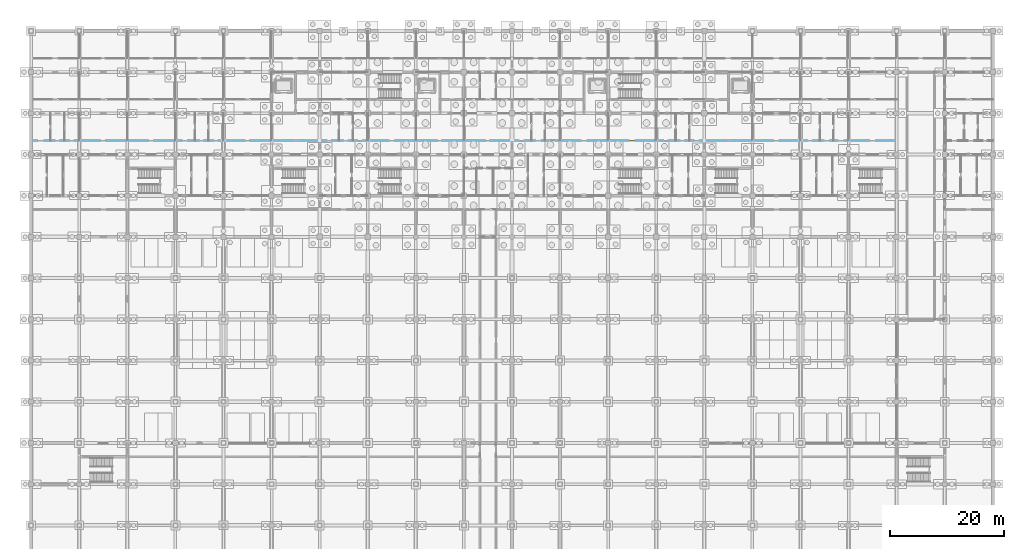
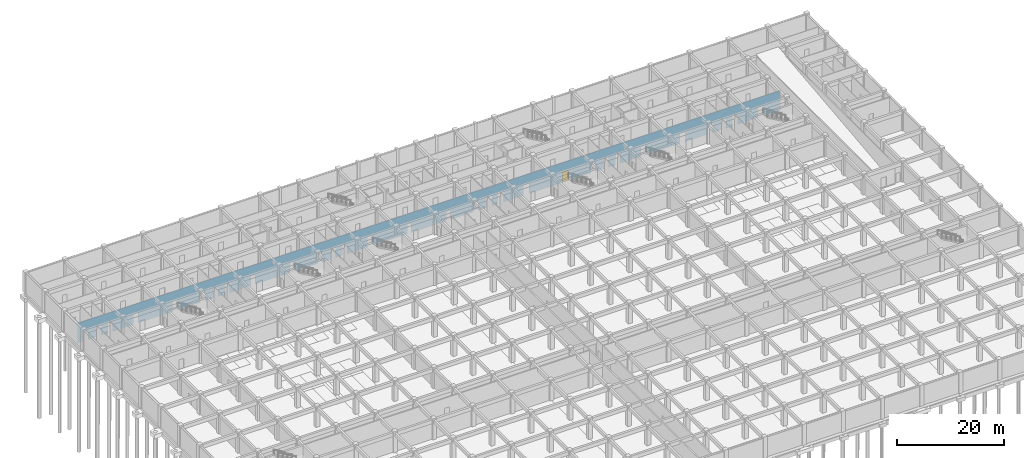
# One storey, part 61 of 85: 1 door, 30 openings, plus 1 element that does not belong to this part.
"""IFC4 building model written with IfcOpenShell, lengths in metres."""

from ifc_helpers import new_model, si_unit, direction, frame, frame_2d, origin, place, context, subcontext, project, spatial, rectangle, extrude, material, layer, layer_set, type_object, element, fill, save


model = new_model("IFC4")

# Units and contexts
model_context = context("Model", 3, precision=1e-05, world=origin(), true_north=direction((0.0, 1.0)))
body_context = subcontext(model_context, "Body", "Model", "MODEL_VIEW")
ifc_project = project(units=[si_unit("LENGTHUNIT", "METRE"), si_unit("AREAUNIT", "SQUARE_METRE"), si_unit("VOLUMEUNIT", "CUBIC_METRE"), si_unit("PLANEANGLEUNIT", "RADIAN"), si_unit("MASSUNIT", "GRAM", prefix="KILO")], contexts=[model_context])

# Site, building, storey
site_placement = place(None, origin())
site = spatial("IfcSite", under=ifc_project, at=site_placement, CompositionType="ELEMENT")
building_placement = place(site_placement, origin())
building = spatial("IfcBuilding", under=site, at=building_placement, Name="Chengyuan Square Courthouse", CompositionType="ELEMENT")
storey_placement = place(building_placement, frame((0.0, 0.0, -10.199951171875)))
storey = spatial("IfcBuildingStorey", under=building, at=storey_placement, Name="B02", CompositionType="ELEMENT", Elevation=-10.199951171875)

# Wall, openings, door
ifc_material_1 = material(Name="Gypsum Plasterboard Acoustic Stud Partition")
ifc_layer = layer(ifc_material_1, 0.10009765625)
ifc_layer_set = layer_set([ifc_layer], Name="Gypsum Plasterboard Acoustic Stud Partition")
wall_type = type_object("IfcWallType", Name="WL-PT6", PredefinedType="STANDARD", material=ifc_layer_set)
wall_placement = place(storey_placement, frame((0.0400390625, 96.0, 0.0), z_axis=(0.0, 0.0, 1.0), x_axis=(1.0, 0.0, 0.0)))
wall = element("IfcWall", 1, at=wall_placement, inside=storey, type_object=wall_type, Name="Interior Wall WL-B02-I062", PredefinedType="STANDARD", context=body_context, shape_type="SweptSolid", body=[
    extrude(rectangle(XDim=151.159912109375, YDim=0.10009765625, at=frame_2d((75.580078125, 0.0))), origin(), (0.0, 0.0, 1.0), 4.47998046875),
])
opening_1_placement = place(wall_placement, frame((1.0400390625, 0.0, 0.0)))
element("IfcOpeningElement", 2, at=opening_1_placement, cuts=wall, Name="Opening DR-148", PredefinedType="OPENING", context=body_context, shape_type="SweptSolid", body=[
    extrude(rectangle(XDim=1.280029296875, YDim=2.35009765625, at=frame_2d((0.64013671875, 1.175048828125))), frame((0.0, 0.06201171875, 0.0), z_axis=(0.0, -1.0, 0.0), x_axis=(1.0, 0.0, 0.0)), (0.0, 0.0, 1.0), 0.1240234375),
])
opening_2_placement = place(wall_placement, frame((4.090087890625, 0.0, 0.0)))
element("IfcOpeningElement", 3, at=opening_2_placement, cuts=wall, Name="Opening DR-149", PredefinedType="OPENING", context=body_context, shape_type="SweptSolid", body=[
    extrude(rectangle(XDim=0.93994140625, YDim=2.300048828125, at=frame_2d((0.469970703125, 1.14990234375))), frame((0.0, 0.06201171875, 0.0), z_axis=(0.0, -1.0, 0.0), x_axis=(1.0, 0.0, 0.0)), (0.0, 0.0, 1.0), 0.1240234375),
])
opening_3_placement = place(wall_placement, frame((6.570068359375, 0.0, 0.0)))
element("IfcOpeningElement", 4, at=opening_3_placement, cuts=wall, Name="Opening DR-150", PredefinedType="OPENING", context=body_context, shape_type="SweptSolid", body=[
    extrude(rectangle(XDim=0.97998046875, YDim=2.35009765625, at=frame_2d((0.489990234375, 1.175048828125))), frame((0.0, 0.06201171875, 0.0), z_axis=(0.0, -1.0, 0.0), x_axis=(1.0, 0.0, 0.0)), (0.0, 0.0, 1.0), 0.1240234375),
])
opening_4_placement = place(wall_placement, frame((12.050048828125, 0.0, 0.0)))
element("IfcOpeningElement", 5, at=opening_4_placement, cuts=wall, Name="Opening DR-151", PredefinedType="OPENING", context=body_context, shape_type="SweptSolid", body=[
    extrude(rectangle(XDim=1.02001953125, YDim=2.39990234375, at=frame_2d((0.510009765625, 1.199951171875))), frame((0.0, 0.06201171875, 0.0), z_axis=(0.0, -1.0, 0.0), x_axis=(1.0, 0.0, 0.0)), (0.0, 0.0, 1.0), 0.1240234375),
])
opening_5_placement = place(wall_placement, frame((20.429931640625, 0.0, 0.0)))
element("IfcOpeningElement", 6, at=opening_5_placement, cuts=wall, Name="Opening DR-152", PredefinedType="OPENING", context=body_context, shape_type="SweptSolid", body=[
    extrude(rectangle(XDim=1.06005859375, YDim=2.39990234375, at=frame_2d((0.530029296875, 1.199951171875))), frame((0.0, 0.06201171875, 0.0), z_axis=(0.0, -1.0, 0.0), x_axis=(1.0, 0.0, 0.0)), (0.0, 0.0, 1.0), 0.1240234375),
])
opening_6_placement = place(wall_placement, frame((26.2900390625, 0.0, 0.0)))
element("IfcOpeningElement", 7, at=opening_6_placement, cuts=wall, Name="Opening DR-153", PredefinedType="OPENING", context=body_context, shape_type="SweptSolid", body=[
    extrude(rectangle(XDim=1.139892578125, YDim=2.39990234375, at=frame_2d((0.56982421875, 1.199951171875))), frame((0.0, 0.06201171875, 0.0), z_axis=(0.0, -1.0, 0.0), x_axis=(1.0, 0.0, 0.0)), (0.0, 0.0, 1.0), 0.1240234375),
])
opening_7_placement = place(wall_placement, frame((29.31005859375, 0.0, 0.0)))
element("IfcOpeningElement", 8, at=opening_7_placement, cuts=wall, Name="Opening DR-154", PredefinedType="OPENING", context=body_context, shape_type="SweptSolid", body=[
    extrude(rectangle(XDim=0.89990234375, YDim=2.14990234375, at=frame_2d((0.449951171875, 1.074951171875))), frame((0.0, 0.06201171875, 0.0), z_axis=(0.0, -1.0, 0.0), x_axis=(1.0, 0.0, 0.0)), (0.0, 0.0, 1.0), 0.1240234375),
])
opening_8_placement = place(wall_placement, frame((31.830078125, 0.0, 0.0)))
element("IfcOpeningElement", 9, at=opening_8_placement, cuts=wall, Name="Opening DR-155", PredefinedType="OPENING", context=body_context, shape_type="SweptSolid", body=[
    extrude(rectangle(XDim=0.860107421875, YDim=2.10009765625, at=frame_2d((0.43017578125, 1.050048828125))), frame((0.0, 0.06201171875, 0.0), z_axis=(0.0, -1.0, 0.0), x_axis=(1.0, 0.0, 0.0)), (0.0, 0.0, 1.0), 0.1240234375),
])
opening_9_placement = place(wall_placement, frame((37.300048828125, 0.0, 0.0)))
element("IfcOpeningElement", 10, at=opening_9_placement, cuts=wall, Name="Opening DR-156", PredefinedType="OPENING", context=body_context, shape_type="SweptSolid", body=[
    extrude(rectangle(XDim=0.919921875, YDim=2.14990234375, at=frame_2d((0.4599609375, 1.074951171875))), frame((0.0, 0.06201171875, 0.0), z_axis=(0.0, -1.0, 0.0), x_axis=(1.0, 0.0, 0.0)), (0.0, 0.0, 1.0), 0.1240234375),
])
opening_10_placement = place(wall_placement, frame((45.679931640625, 0.0, 0.0)))
element("IfcOpeningElement", 11, at=opening_10_placement, cuts=wall, Name="Opening DR-157", PredefinedType="OPENING", context=body_context, shape_type="SweptSolid", body=[
    extrude(rectangle(XDim=0.9599609375, YDim=2.199951171875, at=frame_2d((0.47998046875, 1.10009765625))), frame((0.0, 0.06201171875, 0.0), z_axis=(0.0, -1.0, 0.0), x_axis=(1.0, 0.0, 0.0)), (0.0, 0.0, 1.0), 0.1240234375),
])
opening_11_placement = place(wall_placement, frame((51.570068359375, 0.0, 0.0)))
element("IfcOpeningElement", 12, at=opening_11_placement, cuts=wall, Name="Opening DR-167", PredefinedType="OPENING", context=body_context, shape_type="SweptSolid", body=[
    extrude(rectangle(XDim=0.97998046875, YDim=2.35009765625, at=frame_2d((0.489990234375, 1.175048828125))), frame((0.0, 0.06201171875, 0.0), z_axis=(0.0, -1.0, 0.0), x_axis=(1.0, 0.0, 0.0)), (0.0, 0.0, 1.0), 0.1240234375),
])
opening_12_placement = place(wall_placement, frame((54.449951171875, 0.0, 0.0)))
element("IfcOpeningElement", 13, at=opening_12_placement, cuts=wall, Name="Opening DR-168", PredefinedType="OPENING", context=body_context, shape_type="SweptSolid", body=[
    extrude(rectangle(XDim=1.02001953125, YDim=2.39990234375, at=frame_2d((0.510009765625, 1.199951171875))), frame((0.0, 0.06201171875, 0.0), z_axis=(0.0, -1.0, 0.0), x_axis=(1.0, 0.0, 0.0)), (0.0, 0.0, 1.0), 0.1240234375),
])
opening_13_placement = place(wall_placement, frame((56.929931640625, 0.0, 0.0)))
element("IfcOpeningElement", 14, at=opening_13_placement, cuts=wall, Name="Opening DR-169", PredefinedType="OPENING", context=body_context, shape_type="SweptSolid", body=[
    extrude(rectangle(XDim=1.06005859375, YDim=2.39990234375, at=frame_2d((0.530029296875, 1.199951171875))), frame((0.0, 0.06201171875, 0.0), z_axis=(0.0, -1.0, 0.0), x_axis=(1.0, 0.0, 0.0)), (0.0, 0.0, 1.0), 0.1240234375),
])
opening_14_placement = place(wall_placement, frame((62.389892578125, 0.0, 0.0)))
element("IfcOpeningElement", 15, at=opening_14_placement, cuts=wall, Name="Opening DR-170", PredefinedType="OPENING", context=body_context, shape_type="SweptSolid", body=[
    extrude(rectangle(XDim=1.139892578125, YDim=2.39990234375, at=frame_2d((0.56982421875, 1.199951171875))), frame((0.0, 0.06201171875, 0.0), z_axis=(0.0, -1.0, 0.0), x_axis=(1.0, 0.0, 0.0)), (0.0, 0.0, 1.0), 0.1240234375),
])
opening_15_placement = place(wall_placement, frame((70.909912109375, 0.0, 0.0)))
element("IfcOpeningElement", 16, at=opening_15_placement, cuts=wall, Name="Opening DR-171", PredefinedType="OPENING", context=body_context, shape_type="SweptSolid", body=[
    extrude(rectangle(XDim=0.89990234375, YDim=2.14990234375, at=frame_2d((0.449951171875, 1.074951171875))), frame((0.0, 0.06201171875, 0.0), z_axis=(0.0, -1.0, 0.0), x_axis=(1.0, 0.0, 0.0)), (0.0, 0.0, 1.0), 0.1240234375),
])
opening_16_placement = place(wall_placement, frame((79.330078125, 0.0, 0.0)))
element("IfcOpeningElement", 17, at=opening_16_placement, cuts=wall, Name="Opening DR-172", PredefinedType="OPENING", context=body_context, shape_type="SweptSolid", body=[
    extrude(rectangle(XDim=0.860107421875, YDim=2.10009765625, at=frame_2d((0.43017578125, 1.050048828125))), frame((0.0, 0.06201171875, 0.0), z_axis=(0.0, -1.0, 0.0), x_axis=(1.0, 0.0, 0.0)), (0.0, 0.0, 1.0), 0.1240234375),
])
opening_17_placement = place(wall_placement, frame((85.10009765625, 0.0, 0.0)))
element("IfcOpeningElement", 18, at=opening_17_placement, cuts=wall, Name="Opening DR-178", PredefinedType="OPENING", context=body_context, shape_type="SweptSolid", body=[
    extrude(rectangle(XDim=1.1201171875, YDim=2.25, at=frame_2d((0.56005859375, 1.125))), frame((0.0, 0.06201171875, 0.0), z_axis=(0.0, -1.0, 0.0), x_axis=(1.0, 0.0, 0.0)), (0.0, 0.0, 1.0), 0.1240234375),
])
opening_18_placement = place(wall_placement, frame((87.97998046875, 0.0, 0.0)))
element("IfcOpeningElement", 19, at=opening_18_placement, cuts=wall, Name="Opening DR-179", PredefinedType="OPENING", context=body_context, shape_type="SweptSolid", body=[
    extrude(rectangle(XDim=1.159912109375, YDim=2.300048828125, at=frame_2d((0.580078125, 1.14990234375))), frame((0.0, 0.06201171875, 0.0), z_axis=(0.0, -1.0, 0.0), x_axis=(1.0, 0.0, 0.0)), (0.0, 0.0, 1.0), 0.1240234375),
])
opening_19_placement = place(wall_placement, frame((90.4599609375, 0.0, 0.0)))
element("IfcOpeningElement", 20, at=opening_19_placement, cuts=wall, Name="Opening DR-180", PredefinedType="OPENING", context=body_context, shape_type="SweptSolid", body=[
    extrude(rectangle(XDim=1.199951171875, YDim=2.35009765625, at=frame_2d((0.60009765625, 1.175048828125))), frame((0.0, 0.06201171875, 0.0), z_axis=(0.0, -1.0, 0.0), x_axis=(1.0, 0.0, 0.0)), (0.0, 0.0, 1.0), 0.1240234375),
])
opening_20_placement = place(wall_placement, frame((95.93994140625, 0.0, 0.0)))
element("IfcOpeningElement", 21, at=opening_20_placement, cuts=wall, Name="Opening DR-181", PredefinedType="OPENING", context=body_context, shape_type="SweptSolid", body=[
    extrude(rectangle(XDim=1.239990234375, YDim=2.300048828125, at=frame_2d((0.6201171875, 1.14990234375))), frame((0.0, 0.06201171875, 0.0), z_axis=(0.0, -1.0, 0.0), x_axis=(1.0, 0.0, 0.0)), (0.0, 0.0, 1.0), 0.1240234375),
])
opening_21_placement = place(wall_placement, frame((104.320068359375, 0.0, 0.0)))
opening_21 = element("IfcOpeningElement", 22, at=opening_21_placement, cuts=wall, Name="Opening DR-182", PredefinedType="OPENING", context=body_context, shape_type="SweptSolid", body=[
    extrude(rectangle(XDim=1.280029296875, YDim=2.35009765625, at=frame_2d((0.64013671875, 1.175048828125))), frame((0.0, 0.06201171875, 0.0), z_axis=(0.0, -1.0, 0.0), x_axis=(1.0, 0.0, 0.0)), (0.0, 0.0, 1.0), 0.1240234375),
])
opening_22_placement = place(wall_placement, frame((110.389892578125, 0.0, 0.0)))
element("IfcOpeningElement", 23, at=opening_22_placement, cuts=wall, Name="Opening DR-183", PredefinedType="OPENING", context=body_context, shape_type="SweptSolid", body=[
    extrude(rectangle(XDim=0.93994140625, YDim=2.300048828125, at=frame_2d((0.469970703125, 1.14990234375))), frame((0.0, 0.06201171875, 0.0), z_axis=(0.0, -1.0, 0.0), x_axis=(1.0, 0.0, 0.0)), (0.0, 0.0, 1.0), 0.1240234375),
])
opening_23_placement = place(wall_placement, frame((113.27001953125, 0.0, 0.0)))
element("IfcOpeningElement", 24, at=opening_23_placement, cuts=wall, Name="Opening DR-184", PredefinedType="OPENING", context=body_context, shape_type="SweptSolid", body=[
    extrude(rectangle(XDim=0.97998046875, YDim=2.35009765625, at=frame_2d((0.489990234375, 1.175048828125))), frame((0.0, 0.06201171875, 0.0), z_axis=(0.0, -1.0, 0.0), x_axis=(1.0, 0.0, 0.0)), (0.0, 0.0, 1.0), 0.1240234375),
])
opening_24_placement = place(wall_placement, frame((115.75, 0.0, 0.0)))
element("IfcOpeningElement", 25, at=opening_24_placement, cuts=wall, Name="Opening DR-185", PredefinedType="OPENING", context=body_context, shape_type="SweptSolid", body=[
    extrude(rectangle(XDim=1.02001953125, YDim=2.39990234375, at=frame_2d((0.510009765625, 1.199951171875))), frame((0.0, 0.06201171875, 0.0), z_axis=(0.0, -1.0, 0.0), x_axis=(1.0, 0.0, 0.0)), (0.0, 0.0, 1.0), 0.1240234375),
])
opening_25_placement = place(wall_placement, frame((121.239990234375, 0.0, 0.0)))
element("IfcOpeningElement", 26, at=opening_25_placement, cuts=wall, Name="Opening DR-193", PredefinedType="OPENING", context=body_context, shape_type="SweptSolid", body=[
    extrude(rectangle(XDim=1.0400390625, YDim=2.199951171875, at=frame_2d((0.52001953125, 1.10009765625))), frame((0.0, 0.06201171875, 0.0), z_axis=(0.0, -1.0, 0.0), x_axis=(1.0, 0.0, 0.0)), (0.0, 0.0, 1.0), 0.1240234375),
])
opening_26_placement = place(wall_placement, frame((129.6201171875, 0.0, 0.0)))
element("IfcOpeningElement", 27, at=opening_26_placement, cuts=wall, Name="Opening DR-194", PredefinedType="OPENING", context=body_context, shape_type="SweptSolid", body=[
    extrude(rectangle(XDim=1.080078125, YDim=2.25, at=frame_2d((0.5400390625, 1.125))), frame((0.0, 0.06201171875, 0.0), z_axis=(0.0, -1.0, 0.0), x_axis=(1.0, 0.0, 0.0)), (0.0, 0.0, 1.0), 0.1240234375),
])
opening_27_placement = place(wall_placement, frame((135.5, 0.0, 0.0)))
element("IfcOpeningElement", 28, at=opening_27_placement, cuts=wall, Name="Opening DR-195", PredefinedType="OPENING", context=body_context, shape_type="SweptSolid", body=[
    extrude(rectangle(XDim=1.1201171875, YDim=2.25, at=frame_2d((0.56005859375, 1.125))), frame((0.0, 0.06201171875, 0.0), z_axis=(0.0, -1.0, 0.0), x_axis=(1.0, 0.0, 0.0)), (0.0, 0.0, 1.0), 0.1240234375),
])
opening_28_placement = place(wall_placement, frame((138.3798828125, 0.0, 0.0)))
element("IfcOpeningElement", 29, at=opening_28_placement, cuts=wall, Name="Opening DR-196", PredefinedType="OPENING", context=body_context, shape_type="SweptSolid", body=[
    extrude(rectangle(XDim=1.159912109375, YDim=2.300048828125, at=frame_2d((0.580078125, 1.14990234375))), frame((0.0, 0.06201171875, 0.0), z_axis=(0.0, -1.0, 0.0), x_axis=(1.0, 0.0, 0.0)), (0.0, 0.0, 1.0), 0.1240234375),
])
opening_29_placement = place(wall_placement, frame((140.860107421875, 0.0, 0.0)))
element("IfcOpeningElement", 30, at=opening_29_placement, cuts=wall, Name="Opening DR-197", PredefinedType="OPENING", context=body_context, shape_type="SweptSolid", body=[
    extrude(rectangle(XDim=1.199951171875, YDim=2.35009765625, at=frame_2d((0.60009765625, 1.175048828125))), frame((0.0, 0.06201171875, 0.0), z_axis=(0.0, -1.0, 0.0), x_axis=(1.0, 0.0, 0.0)), (0.0, 0.0, 1.0), 0.1240234375),
])
opening_30_placement = place(wall_placement, frame((146.340087890625, 0.0, 0.0)))
element("IfcOpeningElement", 31, at=opening_30_placement, cuts=wall, Name="Opening DR-198", PredefinedType="OPENING", context=body_context, shape_type="SweptSolid", body=[
    extrude(rectangle(XDim=1.239990234375, YDim=2.300048828125, at=frame_2d((0.6201171875, 1.14990234375))), frame((0.0, 0.06201171875, 0.0), z_axis=(0.0, -1.0, 0.0), x_axis=(1.0, 0.0, 0.0)), (0.0, 0.0, 1.0), 0.1240234375),
])
ifc_material_2 = material(Name="Acoustic Solid-Core Timber Door", Category="wood")
door_type = type_object("IfcDoorType", Name="DT-38", OperationType="NOTDEFINED", PredefinedType="DOOR", material=ifc_material_2)
door_placement = place(opening_21_placement, origin())
door = element("IfcDoor", 32, at=door_placement, inside=storey, type_object=door_type, Name="Interior Door DR-182", OperationType="SINGLE_SWING_LEFT", OverallHeight=2.35009765625, OverallWidth=1.280029296875, PredefinedType="DOOR", context=body_context, shape_type="SweptSolid", body=[
    extrude(rectangle(XDim=1.280029296875, YDim=2.35009765625, at=frame_2d((0.64013671875, 1.175048828125))), frame((0.0, 0.02490234375, 0.0), z_axis=(0.0, -1.0, 0.0), x_axis=(1.0, 0.0, 0.0)), (0.0, 0.0, 1.0), 0.050048828125),
])
fill(opening_21, door)

save(model, "model.ifc")
